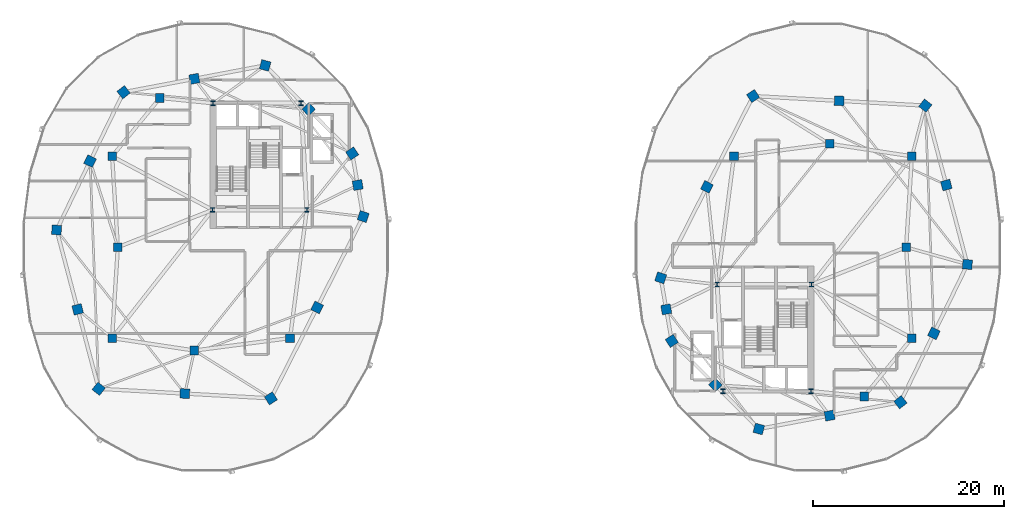
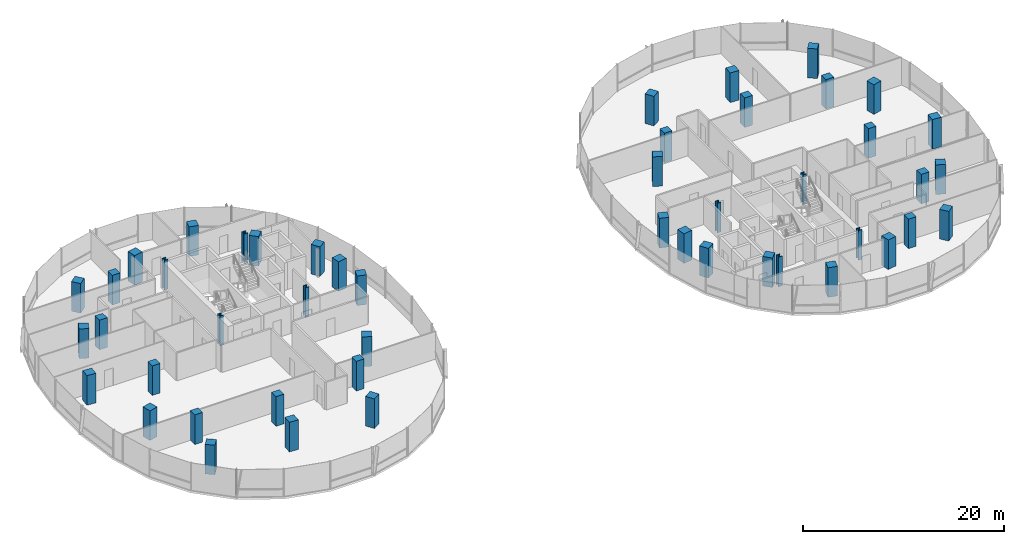
# One storey, part 1 of 22: 48 columns.
"""IFC4 building model written with IfcOpenShell, lengths in metres."""

import ifcopenshell
import ifcopenshell.guid

model = None  # the IFC model being written
_history = None  # IfcOwnerHistory: only IFC2X3 demands one
_inside = {}  # id of a spatial element -> (the spatial element, [elements in it])
_under = {}  # id of a project, library or spatial element -> (it, [spatial elements below it])
_declared = {}  # id of a project -> (the project, [libraries it declares])
_typed = {}  # id of a type object -> (the type object, [elements of that type])
_made_of = {}  # id of a material, layer set ... -> (it, [elements and type objects made of it])


def new_model(schema):
    """Start an empty IFC model of exactly this schema.

    Asked for "IFC4X3", IfcOpenShell would pick the latest addendum, in which some entities
    have other attributes; the version numbers below select the first issue.
    IFC2X3 requires an IfcOwnerHistory on every rooted entity: one is made here for all.
    """
    global model, _history
    if schema == "IFC4X3":
        model = ifcopenshell.file(schema_version=(4, 3, 0, 0))
    else:
        model = ifcopenshell.file(schema=schema)
    _inside.clear()
    _under.clear()
    _declared.clear()
    _typed.clear()
    _made_of.clear()
    _history = None
    if model.schema == "IFC2X3":
        org = make("IfcOrganization", Name="unknown")
        user = make(
            "IfcPersonAndOrganization",
            ThePerson=make("IfcPerson", FamilyName="unknown"),
            TheOrganization=org,
        )
        app = make(
            "IfcApplication",
            ApplicationDeveloper=org,
            Version="unknown",
            ApplicationFullName="unknown",
            ApplicationIdentifier="unknown",
        )
        _history = make(
            "IfcOwnerHistory",
            OwningUser=user,
            OwningApplication=app,
            ChangeAction="ADDED",
            CreationDate=0,
        )
    return model


def make(cls, **values):
    """One entity of the class cls with the attributes given. An attribute that is None is left unset."""
    return model.create_entity(
        cls, **{name: value for name, value in values.items() if value is not None}
    )


def rooted(cls, **values):
    """An entity with a GlobalId (a new one), such as an element, a storey or a relation."""
    return make(cls, GlobalId=ifcopenshell.guid.new(), OwnerHistory=_history, **values)


def si_unit(unit_type, name, prefix=None):
    """IfcSIUnit, for example si_unit("LENGTHUNIT", "METRE", prefix="MILLI")."""
    return make("IfcSIUnit", UnitType=unit_type, Prefix=prefix, Name=name)


def assignment(units):
    """IfcUnitAssignment: the units of a project."""
    return None if units is None else make("IfcUnitAssignment", Units=units)


def point(xyz):
    """IfcCartesianPoint."""
    return None if xyz is None else make("IfcCartesianPoint", Coordinates=xyz)


def direction(xyz):
    """IfcDirection."""
    return None if xyz is None else make("IfcDirection", DirectionRatios=xyz)


def frame(location, z_axis=None, x_axis=None):
    """IfcAxis2Placement3D, a coordinate frame: its origin and axes. An axis left out is left unset."""
    return make(
        "IfcAxis2Placement3D",
        Location=point(location),
        Axis=direction(z_axis),
        RefDirection=direction(x_axis),
    )


def frame_2d(location, x_axis=None):
    """IfcAxis2Placement2D, a coordinate frame in the plane: its origin and x axis."""
    return make(
        "IfcAxis2Placement2D", Location=point(location), RefDirection=direction(x_axis)
    )


def origin():
    """The frame at (0, 0, 0) with its axes left unset."""
    return frame((0.0, 0.0, 0.0))


def origin_2d():
    """The frame at (0, 0) in the plane with its x axis left unset."""
    return frame_2d((0.0, 0.0))


def place(relative_to, where):
    """IfcLocalPlacement: puts the frame where relative to a parent placement (None: the world)."""
    return make(
        "IfcLocalPlacement", PlacementRelTo=relative_to, RelativePlacement=where
    )


def context(
    kind, dimensions, precision=None, world=None, true_north=None, identifier=None
):
    """IfcGeometricRepresentationContext, for example the 3D "Model" context."""
    return make(
        "IfcGeometricRepresentationContext",
        ContextIdentifier=identifier,
        ContextType=kind,
        CoordinateSpaceDimension=dimensions,
        Precision=precision,
        WorldCoordinateSystem=world,
        TrueNorth=true_north,
    )


def subcontext(parent, identifier, kind, view, scale=None):
    """IfcGeometricRepresentationSubContext, for example "Body" below "Model"."""
    return make(
        "IfcGeometricRepresentationSubContext",
        ContextIdentifier=identifier,
        ContextType=kind,
        ParentContext=parent,
        TargetScale=scale,
        TargetView=view,
    )


def project(units=None, contexts=None):
    """IfcProject with its units and contexts."""
    return rooted(
        "IfcProject",
        Name="project",
        RepresentationContexts=contexts,
        UnitsInContext=assignment(units),
    )


def spatial(cls, under=None, at=None, **own):
    """A site, building, storey or space (cls), placed at a placement, below another one or the project."""
    s = rooted(cls, ObjectPlacement=at, **own)
    if under is not None:
        _under.setdefault(under.id(), (under, []))[1].append(s)
    return s


def profile(cls, at=None, kind="AREA", **sizes):
    """A parametric profile (cls). Its sizes go by their IFC names, for example OverallWidth=200.0."""
    return make(cls, ProfileType=kind, Position=at, **sizes)


def rectangle(**sizes):
    """IfcRectangleProfileDef."""
    return profile("IfcRectangleProfileDef", **sizes)


def i_section(**sizes):
    """IfcIShapeProfileDef."""
    return profile("IfcIShapeProfileDef", **sizes)


def extrude(swept, where, along, depth):
    """IfcExtrudedAreaSolid: the profile swept, set in the frame where, extruded along a direction by depth."""
    return make(
        "IfcExtrudedAreaSolid",
        SweptArea=swept,
        Position=where,
        ExtrudedDirection=direction(along),
        Depth=depth,
    )


def shape(context_of_items, identifier, shape_type, items):
    """IfcShapeRepresentation: the items that make up one representation, for example the "Body"."""
    return make(
        "IfcShapeRepresentation",
        ContextOfItems=context_of_items,
        RepresentationIdentifier=identifier,
        RepresentationType=shape_type,
        Items=items,
    )


def material(Name=None, Category=None):
    """IfcMaterial."""
    return make("IfcMaterial", Name=Name, Category=Category)


def material_profile(
    of_material, cross_section, Name=None, Category=None, Priority=None
):
    """IfcMaterialProfile: a cross section and its material."""
    return make(
        "IfcMaterialProfile",
        Name=Name,
        Material=of_material,
        Profile=cross_section,
        Priority=Priority,
        Category=Category,
    )


def profile_set(profiles, Name=None, composite=None):
    """IfcMaterialProfileSet."""
    return make(
        "IfcMaterialProfileSet",
        Name=Name,
        MaterialProfiles=profiles,
        CompositeProfile=composite,
    )


def made_of(thing, what):
    """Note that an element or type object is made of a material, layer set ...; save() writes the relation."""
    if what is not None:
        _made_of.setdefault(what.id(), (what, []))[1].append(thing)
    return thing


def type_object(cls, material=None, **own):
    """A type object (cls), such as IfcWallType, which elements share."""
    return made_of(rooted(cls, **own), material)


def element(
    cls,
    number,
    at=None,
    inside=None,
    cuts=None,
    type_object=None,
    material=None,
    context=None,
    identifier="Body",
    shape_type=None,
    held_by="IfcProductDefinitionShape",
    body=None,
    shapes=None,
    **own,
):
    """One element of the class cls, such as IfcWall. Its Tag is "e" and its number.

    at: its placement. inside: the storey or other place that contains it. cuts: it is an
    opening in that element (IfcRelVoidsElement). A single representation is given by context,
    identifier, shape_type and body (its items); several are given by shapes. held_by: the class
    of the entity that holds the representations. save() writes the other relations.
    """
    e = rooted(cls, Tag="e%d" % number, ObjectPlacement=at, **own)
    if body is not None:
        shapes = [shape(context, identifier, shape_type, body)]
    if shapes is not None:
        e.Representation = make(held_by, Representations=shapes)
    if inside is not None:
        _inside.setdefault(inside.id(), (inside, []))[1].append(e)
    if cuts is not None:
        rooted(
            "IfcRelVoidsElement", RelatingBuildingElement=cuts, RelatedOpeningElement=e
        )
    if type_object is not None:
        _typed.setdefault(type_object.id(), (type_object, []))[1].append(e)
    return made_of(e, material)


def aggregate(whole, parts):
    """IfcRelAggregates: a whole, such as a stair, and the parts it consists of."""
    return rooted("IfcRelAggregates", RelatingObject=whole, RelatedObjects=parts)


def save(model, path):
    """Write the relations noted so far, then the file.

    IfcRelAggregates (storeys below a building ...), IfcRelContainedInSpatialStructure (elements
    in a storey), IfcRelDefinesByType, IfcRelAssociatesMaterial and IfcRelDeclares: one each for
    every whole, place, type object, material and project.
    """
    for whole, parts in _under.values():
        aggregate(whole, parts)
    for where, things in _inside.values():
        rooted(
            "IfcRelContainedInSpatialStructure",
            RelatedElements=things,
            RelatingStructure=where,
        )
    for kind, things in _typed.values():
        rooted("IfcRelDefinesByType", RelatedObjects=things, RelatingType=kind)
    for what, things in _made_of.values():
        rooted("IfcRelAssociatesMaterial", RelatedObjects=things, RelatingMaterial=what)
    for by, libraries in _declared.values():
        rooted("IfcRelDeclares", RelatingContext=by, RelatedDefinitions=libraries)
    model.write(path)


model = new_model("IFC4")

# Units and contexts
model_context = context("Model", 3, precision=1e-05, world=origin(), true_north=direction((0.0, 1.0)))
body_context = subcontext(model_context, "Body", "Model", "MODEL_VIEW")
ifc_project = project(units=[si_unit("LENGTHUNIT", "METRE"), si_unit("AREAUNIT", "SQUARE_METRE"), si_unit("VOLUMEUNIT", "CUBIC_METRE"), si_unit("PLANEANGLEUNIT", "RADIAN"), si_unit("MASSUNIT", "GRAM", prefix="KILO"), si_unit("THERMODYNAMICTEMPERATUREUNIT", "KELVIN"), si_unit("POWERUNIT", "WATT")], contexts=[model_context])

# Site, building, storey
site_placement = place(None, origin())
site = spatial("IfcSite", under=ifc_project, at=site_placement, CompositionType="ELEMENT")
building_placement = place(site_placement, origin())
building = spatial("IfcBuilding", under=site, at=building_placement, Name="Cundina Bronze Exchange", CompositionType="ELEMENT")
storey_placement = place(building_placement, frame((0.0, 0.0, 151.199951171875)))
storey = spatial("IfcBuildingStorey", under=building, at=storey_placement, Name="L39", CompositionType="ELEMENT", Elevation=151.199951171875)

# Columns
ifc_material_1 = material(Name="Steel ASTM A992 Grade 50", Category="steel")
ifc_material_profile_1 = material_profile(ifc_material_1, i_section(OverallWidth=0.431884765625, OverallDepth=0.498046875, WebThickness=0.0556640625, FlangeThickness=0.0888671875, FilletRadius=0.01806640625, at=origin_2d()), Name="W14X500", Category="steel")
ifc_profile_set_1 = profile_set([ifc_material_profile_1], Name="Steel ASTM A992 Grade 50")
column_type_1 = type_object("IfcColumnType", Name="COL-STL-W14A", PredefinedType="COLUMN", material=ifc_profile_set_1)
for number, where, z_axis, x_axis, name in (
    (1, (-31.300048828125, 3.89990234375, 0.0), (0.0, 0.0, 1.0), (1.0, 0.0, 0.0), "L39 Core Anchor Column W1"),
    (2, (-21.449951171875, 3.89990234375, 0.0), (0.0, 0.0, 1.0), (1.0, 0.0, 0.0), "L39 Core Anchor Column W2"),
    (3, (-22.050048828125, 15.050048828125, 0.0), (0.0, 0.0, 1.0), (1.0, 0.0, 0.0), "L39 Core Anchor Column W3"),
    (4, (-31.25, 15.050048828125, 0.0), (0.0, 0.0, 1.0), (1.0, 0.0, 0.0), "L39 Core Anchor Column W4"),
    (5, (31.300048828125, -3.89990234375, 0.0), (0.0, 0.0, 1.0), (1.0, 0.0, 0.0), "L39 Core Anchor Column E1"),
    (6, (21.449951171875, -3.89990234375, 0.0), (0.0, 0.0, 1.0), (1.0, 0.0, 0.0), "L39 Core Anchor Column E2"),
    (7, (22.050048828125, -15.050048828125, 0.0), (0.0, 0.0, 1.0), (1.0, 0.0, 0.0), "L39 Core Anchor Column E3"),
    (8, (31.25, -15.050048828125, 0.0), (0.0, 0.0, 1.0), (1.0, 0.0, 0.0), "L39 Core Anchor Column E4"),
):
    element("IfcColumn", number, at=place(storey_placement, frame(where, z_axis=z_axis, x_axis=x_axis)), inside=storey, type_object=column_type_1, Name=name, PredefinedType="COLUMN", context=body_context, shape_type="SweptSolid", body=[
        extrude(i_section(OverallWidth=0.431884765625, OverallDepth=0.498046875, WebThickness=0.0556640625, FlangeThickness=0.0888671875, FilletRadius=0.01806640625, at=origin_2d()), origin(), (0.0, 0.0, 1.0), 3.60009765625),
    ])
ifc_material_2 = material(Name="Concrete C50/60", Category="concrete")
ifc_material_profile_2 = material_profile(ifc_material_2, rectangle(XDim=1.0, YDim=1.0, at=origin_2d()), Name="RC1000X1000", Category="concrete")
ifc_profile_set_2 = profile_set([ifc_material_profile_2], Name="Concrete C50/60")
column_type_2 = type_object("IfcColumnType", Name="COL-Z3-1000", PredefinedType="COLUMN", material=ifc_profile_set_2)
for number, where, z_axis, x_axis, name in (
    (9, (-15.550048828125, 3.199951171875, 0.0), (0.0, 0.0, 1.0), (0.315152163383, 0.949041155016, 0.0), "L39 W Perimeter Column 00"),
    (10, (-16.125, 6.5, 0.0), (0.0, 0.0, 1.0), (-0.171585221787, 0.985169280715, 0.0), "L39 W Perimeter Column 01"),
    (11, (-16.699951171875, 9.800048828125, 0.0), (0.0, 0.0, 1.0), (-0.544199833495, 0.838955625301, 0.0), "L39 W Perimeter Column 02"),
    (12, (-21.25, 14.39990234375, 0.0), (0.0, 0.0, 1.0), (-0.703270634186, 0.710922228581, 0.0), "L39 W Perimeter Column 03"),
    (13, (-25.800048828125, 19.0, 0.0), (0.0, 0.0, 1.0), (-0.965970984022, 0.258650455301, 0.0), "L39 W Perimeter Column 04"),
    (14, (-33.199951171875, 17.60009765625, 0.0), (0.0, 0.0, 1.0), (-0.98258037664, -0.185838110843, 0.0), "L39 W Perimeter Column 05"),
    (15, (-40.60009765625, 16.199951171875, 0.0), (0.0, 0.0, 1.0), (-0.785100778485, -0.619368038909, 0.0), "L39 W Perimeter Column 06"),
    (16, (-44.10009765625, 9.0, 0.0), (0.0, 0.0, 1.0), (-0.437115766651, -0.899405251566, 0.0), "L39 W Perimeter Column 07"),
    (17, (-47.60009765625, 1.800048828125, 0.0), (0.0, 0.0, 1.0), (-0.083503921245, -0.996507448611, 0.0), "L39 W Perimeter Column 08"),
    (18, (-45.39990234375, -6.5, 0.0), (0.0, 0.0, 1.0), (0.256289373133, -0.966600102017, 0.0), "L39 W Perimeter Column 09"),
    (19, (-43.199951171875, -14.800048828125, 0.0), (0.0, 0.0, 1.0), (0.786288432137, -0.61785961309, 0.0), "L39 W Perimeter Column 10"),
    (20, (-34.199951171875, -15.300048828125, 0.0), (0.0, 0.0, 1.0), (0.998460188734, -0.055472980025, 0.0), "L39 W Perimeter Column 11"),
    (21, (-25.199951171875, -15.800048828125, 0.0), (0.0, 0.0, 1.0), (0.838099763533, 0.545516989988, 0.0), "L39 W Perimeter Column 12"),
    (22, (-20.375, -6.300048828125, 0.0), (0.0, 0.0, 1.0), (0.452901591366, 0.891560513111, 0.0), "L39 W Perimeter Column 13"),
    (23, (15.550048828125, -3.199951171875, 0.0), (0.0, 0.0, 1.0), (-0.315152163383, -0.949041155016, 0.0), "L39 E Perimeter Column 00"),
    (24, (16.125, -6.5, 0.0), (0.0, 0.0, 1.0), (0.171585221787, -0.985169280715, 0.0), "L39 E Perimeter Column 01"),
    (25, (16.699951171875, -9.800048828125, 0.0), (0.0, 0.0, 1.0), (0.544199833495, -0.838955625301, 0.0), "L39 E Perimeter Column 02"),
    (26, (21.25, -14.39990234375, 0.0), (0.0, 0.0, 1.0), (0.703270634186, -0.710922228581, 0.0), "L39 E Perimeter Column 03"),
    (27, (25.800048828125, -19.0, 0.0), (0.0, 0.0, 1.0), (0.965970984022, -0.258650455301, 0.0), "L39 E Perimeter Column 04"),
    (28, (33.199951171875, -17.60009765625, 0.0), (0.0, 0.0, 1.0), (0.98258037664, 0.185838110843, 0.0), "L39 E Perimeter Column 05"),
    (29, (40.60009765625, -16.199951171875, 0.0), (0.0, 0.0, 1.0), (0.785100778485, 0.619368038909, 0.0), "L39 E Perimeter Column 06"),
    (30, (44.10009765625, -9.0, 0.0), (0.0, 0.0, 1.0), (0.437115766651, 0.899405251566, 0.0), "L39 E Perimeter Column 07"),
    (31, (47.60009765625, -1.800048828125, 0.0), (0.0, 0.0, 1.0), (0.083503921245, 0.996507448611, 0.0), "L39 E Perimeter Column 08"),
    (32, (45.39990234375, 6.5, 0.0), (0.0, 0.0, 1.0), (-0.256289373133, 0.966600102017, 0.0), "L39 E Perimeter Column 09"),
    (33, (43.199951171875, 14.800048828125, 0.0), (0.0, 0.0, 1.0), (-0.786288432137, 0.61785961309, 0.0), "L39 E Perimeter Column 10"),
    (34, (34.199951171875, 15.300048828125, 0.0), (0.0, 0.0, 1.0), (-0.998460188734, 0.055472980025, 0.0), "L39 E Perimeter Column 11"),
    (35, (25.199951171875, 15.800048828125, 0.0), (0.0, 0.0, 1.0), (-0.838099763533, -0.545516989988, 0.0), "L39 E Perimeter Column 12"),
    (36, (20.375, 6.300048828125, 0.0), (0.0, 0.0, 1.0), (-0.452901591366, -0.891560513111, 0.0), "L39 E Perimeter Column 13"),
):
    element("IfcColumn", number, at=place(storey_placement, frame(where, z_axis=z_axis, x_axis=x_axis)), inside=storey, type_object=column_type_2, Name=name, PredefinedType="COLUMN", context=body_context, shape_type="SweptSolid", body=[
        extrude(rectangle(XDim=1.0, YDim=1.0, at=origin_2d()), origin(), (0.0, 0.0, 1.0), 3.60009765625),
    ])
ifc_material_profile_3 = material_profile(ifc_material_2, rectangle(XDim=0.89990234375, YDim=0.89990234375, at=origin_2d()), Name="RC900X900", Category="concrete")
ifc_profile_set_3 = profile_set([ifc_material_profile_3], Name="Concrete C50/60")
column_type_3 = type_object("IfcColumnType", Name="COL-Z4-900", PredefinedType="COLUMN", material=ifc_profile_set_3)
for number, where, z_axis, x_axis, name in (
    (37, (-41.199951171875, 0.0, 0.0), (0.0, 0.0, 1.0), (1.0, 0.0, 0.0), "L39 W Inner Ring Column 1"),
    (38, (-41.800048828125, 9.5, 0.0), (0.0, 0.0, 1.0), (1.0, 0.0, 0.0), "L39 W Inner Ring Column 2"),
    (39, (-36.800048828125, 15.60009765625, 0.0), (0.0, 0.0, 1.0), (1.0, 0.0, 0.0), "L39 W Inner Ring Column 3"),
    (40, (-41.800048828125, -9.5, 0.0), (0.0, 0.0, 1.0), (1.0, 0.0, 0.0), "L39 W Inner Ring Column 4"),
    (41, (-33.199951171875, -10.800048828125, 0.0), (0.0, 0.0, 1.0), (1.0, 0.0, 0.0), "L39 W Inner Ring Column 5"),
    (42, (-23.199951171875, -9.5, 0.0), (0.0, 0.0, 1.0), (1.0, 0.0, 0.0), "L39 W Inner Ring Column 6"),
    (43, (41.199951171875, 0.0, 0.0), (0.0, 0.0, 1.0), (1.0, 0.0, 0.0), "L39 E Inner Ring Column 1"),
    (44, (41.800048828125, -9.5, 0.0), (0.0, 0.0, 1.0), (1.0, 0.0, 0.0), "L39 E Inner Ring Column 2"),
    (45, (36.800048828125, -15.60009765625, 0.0), (0.0, 0.0, 1.0), (1.0, 0.0, 0.0), "L39 E Inner Ring Column 3"),
    (46, (41.800048828125, 9.5, 0.0), (0.0, 0.0, 1.0), (1.0, 0.0, 0.0), "L39 E Inner Ring Column 4"),
    (47, (33.199951171875, 10.800048828125, 0.0), (0.0, 0.0, 1.0), (1.0, 0.0, 0.0), "L39 E Inner Ring Column 5"),
    (48, (23.199951171875, 9.5, 0.0), (0.0, 0.0, 1.0), (1.0, 0.0, 0.0), "L39 E Inner Ring Column 6"),
):
    element("IfcColumn", number, at=place(storey_placement, frame(where, z_axis=z_axis, x_axis=x_axis)), inside=storey, type_object=column_type_3, Name=name, PredefinedType="COLUMN", context=body_context, shape_type="SweptSolid", body=[
        extrude(rectangle(XDim=0.89990234375, YDim=0.89990234375, at=origin_2d()), origin(), (0.0, 0.0, 1.0), 3.60009765625),
    ])

save(model, "model.ifc")
